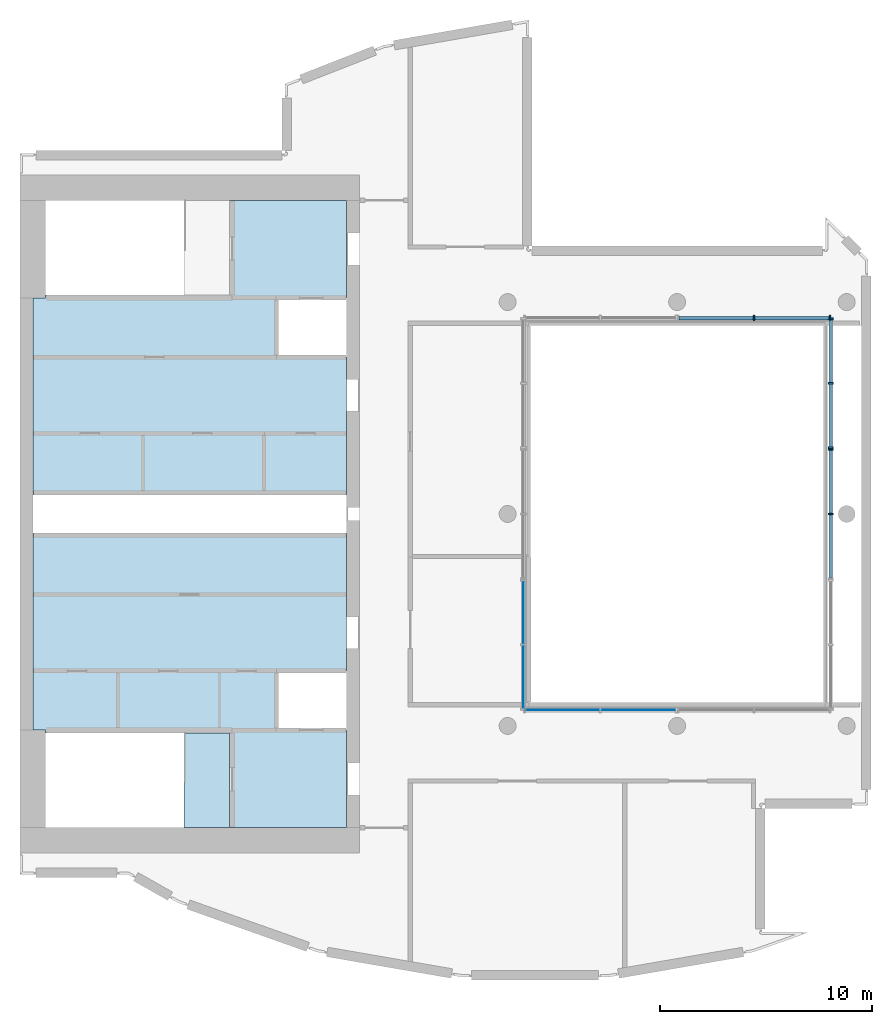
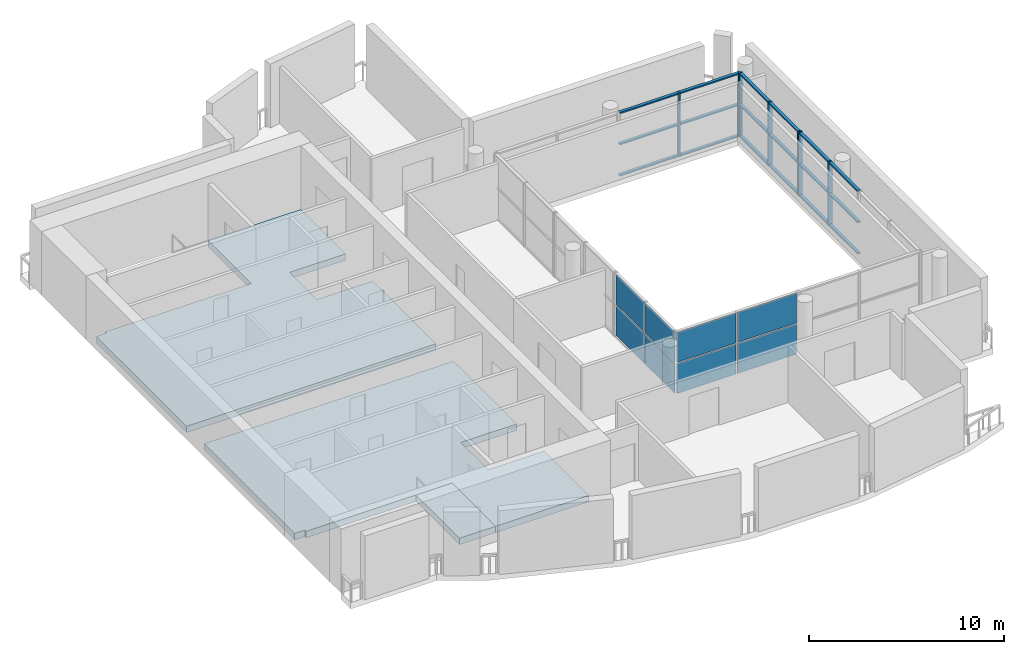
# One storey, part 2 of 6: 25 members, 8 plates, 3 slabs, 5 elements without a shape of their own.
"""IFC4 building model written with IfcOpenShell, lengths in metres."""

from ifc_helpers import new_model, si_unit, direction, frame, origin, origin_2d, place, context, subcontext, project, spatial, polyline, rectangle, outline, extrude, material, layer, layer_set, material_profile, profile_set, type_object, element, aggregate, save


model = new_model("IFC4")

# Units and contexts
model_context = context("Model", 3, precision=1e-05, world=origin(), true_north=direction((0.0, 1.0)))
body_context = subcontext(model_context, "Body", "Model", "MODEL_VIEW")
ifc_project = project(units=[si_unit("LENGTHUNIT", "METRE"), si_unit("AREAUNIT", "SQUARE_METRE"), si_unit("VOLUMEUNIT", "CUBIC_METRE"), si_unit("PLANEANGLEUNIT", "RADIAN"), si_unit("MASSUNIT", "GRAM", prefix="KILO")], contexts=[model_context])

# Site, building, storey
site_placement = place(None, origin())
site = spatial("IfcSite", under=ifc_project, at=site_placement, CompositionType="ELEMENT")
building_placement = place(site_placement, origin())
building = spatial("IfcBuilding", under=site, at=building_placement, Name="Cypress Arch Tower", CompositionType="ELEMENT")
storey_placement = place(building_placement, frame((0.0, 0.0, 355.0)))
storey = spatial("IfcBuildingStorey", under=building, at=storey_placement, Name="L81", CompositionType="ELEMENT", Elevation=355.0)

# Curtain wall, members
ifc_material_1 = material(Name="Anodised aluminium, bronze finish, clear laminated double glazing", Category="aluminium")
curtain_wall_type = type_object("IfcCurtainWallType", Name="Curtain wall CW4 atrium enclosure", PredefinedType="NOTDEFINED", material=ifc_material_1)
curtain_wall_1_placement = place(storey_placement, origin())
curtain_wall_1 = element("IfcCurtainWall", 1, at=curtain_wall_1_placement, inside=storey, type_object=curtain_wall_type, Name="Curtain wall L81 atrium 3.2", PredefinedType="NOTDEFINED")
ifc_material_2 = material(Name="Anodised aluminium, bronze finish", Category="aluminium")
ifc_material_profile_1 = material_profile(ifc_material_2, rectangle(XDim=0.239990234375, YDim=0.0849609375, at=origin_2d()), Name="Mullion 85x240")
ifc_profile_set_1 = profile_set([ifc_material_profile_1], Name="Anodised aluminium, bronze finish")
member_type_1 = type_object("IfcMemberType", Name="Mullion CW4 85x240", PredefinedType="MULLION", material=ifc_profile_set_1)
member_1_placement = place(storey_placement, frame((4.625, 9.25, 0.0), z_axis=(0.0, 0.0, 1.0), x_axis=(0.0, 1.0, 0.0)))
member_1 = element("IfcMember", 2, at=member_1_placement, type_object=member_type_1, Name="CW4 mullion 2", PredefinedType="MULLION", context=body_context, shape_type="SweptSolid", body=[
    extrude(rectangle(XDim=0.239990234375, YDim=0.0849609375, at=origin_2d()), origin(), (0.0, 0.0, 1.0), 4.0),
])
member_2_placement = place(storey_placement, frame((8.20751953125, 9.25, 0.0), z_axis=(0.0, 0.0, 1.0), x_axis=(0.0, 1.0, 0.0)))
member_2 = element("IfcMember", 3, at=member_2_placement, type_object=member_type_1, Name="CW4 mullion 3", PredefinedType="MULLION", context=body_context, shape_type="SweptSolid", body=[
    extrude(rectangle(XDim=0.239990234375, YDim=0.0849609375, at=origin_2d()), origin(), (0.0, 0.0, 1.0), 4.0),
])

curtain_wall_2_placement = place(storey_placement, origin())
curtain_wall_2 = element("IfcCurtainWall", 4, at=curtain_wall_2_placement, inside=storey, type_object=curtain_wall_type, Name="Curtain wall L81 atrium 4.1", PredefinedType="NOTDEFINED")
member_3_placement = place(storey_placement, frame((8.25, 9.20751953125, 0.0), z_axis=(0.0, 0.0, 1.0), x_axis=(1.0, 0.0, 0.0)))
member_3 = element("IfcMember", 5, at=member_3_placement, type_object=member_type_1, Name="CW4 mullion 1", PredefinedType="MULLION", context=body_context, shape_type="SweptSolid", body=[
    extrude(rectangle(XDim=0.239990234375, YDim=0.0849609375, at=origin_2d()), origin(), (0.0, 0.0, 1.0), 4.0),
])
member_4_placement = place(storey_placement, frame((8.25, 6.166748046875, 0.0), z_axis=(0.0, 0.0, 1.0), x_axis=(1.0, 0.0, 0.0)))
member_4 = element("IfcMember", 6, at=member_4_placement, type_object=member_type_1, Name="CW4 mullion 2", PredefinedType="MULLION", context=body_context, shape_type="SweptSolid", body=[
    extrude(rectangle(XDim=0.239990234375, YDim=0.0849609375, at=origin_2d()), origin(), (0.0, 0.0, 1.0), 4.0),
])
member_5_placement = place(storey_placement, frame((8.25, 3.125732421875, 0.0), z_axis=(0.0, 0.0, 1.0), x_axis=(1.0, 0.0, 0.0)))
member_5 = element("IfcMember", 7, at=member_5_placement, type_object=member_type_1, Name="CW4 mullion 3", PredefinedType="MULLION", context=body_context, shape_type="SweptSolid", body=[
    extrude(rectangle(XDim=0.239990234375, YDim=0.0849609375, at=origin_2d()), origin(), (0.0, 0.0, 1.0), 4.0),
])

curtain_wall_3_placement = place(storey_placement, origin())
curtain_wall_3 = element("IfcCurtainWall", 8, at=curtain_wall_3_placement, inside=storey, type_object=curtain_wall_type, Name="Curtain wall L81 atrium 4.2", PredefinedType="NOTDEFINED")
member_6_placement = place(storey_placement, frame((8.25, 3.040771484375, 0.0), z_axis=(0.0, 0.0, 1.0), x_axis=(1.0, 0.0, 0.0)))
member_6 = element("IfcMember", 9, at=member_6_placement, type_object=member_type_1, Name="CW4 mullion 1", PredefinedType="MULLION", context=body_context, shape_type="SweptSolid", body=[
    extrude(rectangle(XDim=0.239990234375, YDim=0.0849609375, at=origin_2d()), origin(), (0.0, 0.0, 1.0), 4.0),
])
member_7_placement = place(storey_placement, frame((8.25, 0.0, 0.0), z_axis=(0.0, 0.0, 1.0), x_axis=(1.0, 0.0, 0.0)))
member_7 = element("IfcMember", 10, at=member_7_placement, type_object=member_type_1, Name="CW4 mullion 2", PredefinedType="MULLION", context=body_context, shape_type="SweptSolid", body=[
    extrude(rectangle(XDim=0.239990234375, YDim=0.0849609375, at=origin_2d()), origin(), (0.0, 0.0, 1.0), 4.0),
])

# Member
ifc_material_3 = material(Name="Anodised aluminium, bronze finish", Category="aluminium")
ifc_material_profile_2 = material_profile(ifc_material_3, rectangle(XDim=0.179931640625, YDim=0.0849609375, at=origin_2d()), Name="Transom 85x180")
ifc_profile_set_2 = profile_set([ifc_material_profile_2], Name="Anodised aluminium, bronze finish")
member_type_2 = type_object("IfcMemberType", Name="Transom CW4 85x180", PredefinedType="USERDEFINED", material=ifc_profile_set_2)
member_8_placement = place(storey_placement, frame((1.0849609375, 9.25, 0.04248046875), z_axis=(1.0, 0.0, 0.0), x_axis=(0.0, 1.0, 0.0)))
member_8 = element("IfcMember", 11, at=member_8_placement, type_object=member_type_2, Name="CW4 transom 1.1", ObjectType="TRANSOM", PredefinedType="USERDEFINED", context=body_context, shape_type="SweptSolid", body=[
    extrude(rectangle(XDim=0.179931640625, YDim=0.0849609375, at=origin_2d()), origin(), (0.0, 0.0, 1.0), 3.49755859375),
])

member_9_placement = place(storey_placement, frame((1.0849609375, 9.25, 2.0), z_axis=(1.0, 0.0, 0.0), x_axis=(0.0, 1.0, 0.0)))
member_9 = element("IfcMember", 12, at=member_9_placement, type_object=member_type_2, Name="CW4 transom 1.2", ObjectType="TRANSOM", PredefinedType="USERDEFINED", context=body_context, shape_type="SweptSolid", body=[
    extrude(rectangle(XDim=0.179931640625, YDim=0.0849609375, at=origin_2d()), origin(), (0.0, 0.0, 1.0), 3.49755859375),
])

member_10_placement = place(storey_placement, frame((1.0849609375, 9.25, 3.95751953125), z_axis=(1.0, 0.0, 0.0), x_axis=(0.0, 1.0, 0.0)))
member_10 = element("IfcMember", 13, at=member_10_placement, type_object=member_type_2, Name="CW4 transom 1.3", ObjectType="TRANSOM", PredefinedType="USERDEFINED", context=body_context, shape_type="SweptSolid", body=[
    extrude(rectangle(XDim=0.179931640625, YDim=0.0849609375, at=origin_2d()), origin(), (0.0, 0.0, 1.0), 3.49755859375),
])

member_11_placement = place(storey_placement, frame((4.66748046875, 9.25, 0.04248046875), z_axis=(1.0, 0.0, 0.0), x_axis=(0.0, 1.0, 0.0)))
member_11 = element("IfcMember", 14, at=member_11_placement, type_object=member_type_2, Name="CW4 transom 2.1", ObjectType="TRANSOM", PredefinedType="USERDEFINED", context=body_context, shape_type="SweptSolid", body=[
    extrude(rectangle(XDim=0.179931640625, YDim=0.0849609375, at=origin_2d()), origin(), (0.0, 0.0, 1.0), 3.49755859375),
])

member_12_placement = place(storey_placement, frame((4.66748046875, 9.25, 2.0), z_axis=(1.0, 0.0, 0.0), x_axis=(0.0, 1.0, 0.0)))
member_12 = element("IfcMember", 15, at=member_12_placement, type_object=member_type_2, Name="CW4 transom 2.2", ObjectType="TRANSOM", PredefinedType="USERDEFINED", context=body_context, shape_type="SweptSolid", body=[
    extrude(rectangle(XDim=0.179931640625, YDim=0.0849609375, at=origin_2d()), origin(), (0.0, 0.0, 1.0), 3.49755859375),
])

member_13_placement = place(storey_placement, frame((4.66748046875, 9.25, 3.95751953125), z_axis=(1.0, 0.0, 0.0), x_axis=(0.0, 1.0, 0.0)))
member_13 = element("IfcMember", 16, at=member_13_placement, type_object=member_type_2, Name="CW4 transom 2.3", ObjectType="TRANSOM", PredefinedType="USERDEFINED", context=body_context, shape_type="SweptSolid", body=[
    extrude(rectangle(XDim=0.179931640625, YDim=0.0849609375, at=origin_2d()), origin(), (0.0, 0.0, 1.0), 3.49755859375),
])

aggregate(curtain_wall_1, [member_1, member_2, member_8, member_9, member_10, member_11, member_12, member_13])

member_14_placement = place(storey_placement, frame((8.25, 9.1650390625, 0.04248046875), z_axis=(0.0, -1.0, 0.0), x_axis=(1.0, 0.0, 0.0)))
member_14 = element("IfcMember", 17, at=member_14_placement, type_object=member_type_2, Name="CW4 transom 1.1", ObjectType="TRANSOM", PredefinedType="USERDEFINED", context=body_context, shape_type="SweptSolid", body=[
    extrude(rectangle(XDim=0.179931640625, YDim=0.0849609375, at=origin_2d()), origin(), (0.0, 0.0, 1.0), 2.955810546875),
])

member_15_placement = place(storey_placement, frame((8.25, 9.1650390625, 2.0), z_axis=(0.0, -1.0, 0.0), x_axis=(1.0, 0.0, 0.0)))
member_15 = element("IfcMember", 18, at=member_15_placement, type_object=member_type_2, Name="CW4 transom 1.2", ObjectType="TRANSOM", PredefinedType="USERDEFINED", context=body_context, shape_type="SweptSolid", body=[
    extrude(rectangle(XDim=0.179931640625, YDim=0.0849609375, at=origin_2d()), origin(), (0.0, 0.0, 1.0), 2.955810546875),
])

member_16_placement = place(storey_placement, frame((8.25, 9.1650390625, 3.95751953125), z_axis=(0.0, -1.0, 0.0), x_axis=(1.0, 0.0, 0.0)))
member_16 = element("IfcMember", 19, at=member_16_placement, type_object=member_type_2, Name="CW4 transom 1.3", ObjectType="TRANSOM", PredefinedType="USERDEFINED", context=body_context, shape_type="SweptSolid", body=[
    extrude(rectangle(XDim=0.179931640625, YDim=0.0849609375, at=origin_2d()), origin(), (0.0, 0.0, 1.0), 2.955810546875),
])

member_17_placement = place(storey_placement, frame((8.25, 6.124267578125, 0.04248046875), z_axis=(0.0, -1.0, 0.0), x_axis=(1.0, 0.0, 0.0)))
member_17 = element("IfcMember", 20, at=member_17_placement, type_object=member_type_2, Name="CW4 transom 2.1", ObjectType="TRANSOM", PredefinedType="USERDEFINED", context=body_context, shape_type="SweptSolid", body=[
    extrude(rectangle(XDim=0.179931640625, YDim=0.0849609375, at=origin_2d()), origin(), (0.0, 0.0, 1.0), 2.9560546875),
])

member_18_placement = place(storey_placement, frame((8.25, 6.124267578125, 2.0), z_axis=(0.0, -1.0, 0.0), x_axis=(1.0, 0.0, 0.0)))
member_18 = element("IfcMember", 21, at=member_18_placement, type_object=member_type_2, Name="CW4 transom 2.2", ObjectType="TRANSOM", PredefinedType="USERDEFINED", context=body_context, shape_type="SweptSolid", body=[
    extrude(rectangle(XDim=0.179931640625, YDim=0.0849609375, at=origin_2d()), origin(), (0.0, 0.0, 1.0), 2.9560546875),
])

member_19_placement = place(storey_placement, frame((8.25, 6.124267578125, 3.95751953125), z_axis=(0.0, -1.0, 0.0), x_axis=(1.0, 0.0, 0.0)))
member_19 = element("IfcMember", 22, at=member_19_placement, type_object=member_type_2, Name="CW4 transom 2.3", ObjectType="TRANSOM", PredefinedType="USERDEFINED", context=body_context, shape_type="SweptSolid", body=[
    extrude(rectangle(XDim=0.179931640625, YDim=0.0849609375, at=origin_2d()), origin(), (0.0, 0.0, 1.0), 2.9560546875),
])

aggregate(curtain_wall_2, [member_3, member_4, member_5, member_14, member_15, member_16, member_17, member_18, member_19])

member_20_placement = place(storey_placement, frame((8.25, 2.998291015625, 0.04248046875), z_axis=(0.0, -1.0, 0.0), x_axis=(1.0, 0.0, 0.0)))
member_20 = element("IfcMember", 23, at=member_20_placement, type_object=member_type_2, Name="CW4 transom 1.1", ObjectType="TRANSOM", PredefinedType="USERDEFINED", context=body_context, shape_type="SweptSolid", body=[
    extrude(rectangle(XDim=0.179931640625, YDim=0.0849609375, at=origin_2d()), origin(), (0.0, 0.0, 1.0), 2.955810546875),
])

member_21_placement = place(storey_placement, frame((8.25, 2.998291015625, 2.0), z_axis=(0.0, -1.0, 0.0), x_axis=(1.0, 0.0, 0.0)))
member_21 = element("IfcMember", 24, at=member_21_placement, type_object=member_type_2, Name="CW4 transom 1.2", ObjectType="TRANSOM", PredefinedType="USERDEFINED", context=body_context, shape_type="SweptSolid", body=[
    extrude(rectangle(XDim=0.179931640625, YDim=0.0849609375, at=origin_2d()), origin(), (0.0, 0.0, 1.0), 2.955810546875),
])

member_22_placement = place(storey_placement, frame((8.25, 2.998291015625, 3.95751953125), z_axis=(0.0, -1.0, 0.0), x_axis=(1.0, 0.0, 0.0)))
member_22 = element("IfcMember", 25, at=member_22_placement, type_object=member_type_2, Name="CW4 transom 1.3", ObjectType="TRANSOM", PredefinedType="USERDEFINED", context=body_context, shape_type="SweptSolid", body=[
    extrude(rectangle(XDim=0.179931640625, YDim=0.0849609375, at=origin_2d()), origin(), (0.0, 0.0, 1.0), 2.955810546875),
])

member_23_placement = place(storey_placement, frame((8.25, -0.04248046875, 0.04248046875), z_axis=(0.0, -1.0, 0.0), x_axis=(1.0, 0.0, 0.0)))
member_23 = element("IfcMember", 26, at=member_23_placement, type_object=member_type_2, Name="CW4 transom 2.1", ObjectType="TRANSOM", PredefinedType="USERDEFINED", context=body_context, shape_type="SweptSolid", body=[
    extrude(rectangle(XDim=0.179931640625, YDim=0.0849609375, at=origin_2d()), origin(), (0.0, 0.0, 1.0), 2.955810546875),
])

member_24_placement = place(storey_placement, frame((8.25, -0.04248046875, 2.0), z_axis=(0.0, -1.0, 0.0), x_axis=(1.0, 0.0, 0.0)))
member_24 = element("IfcMember", 27, at=member_24_placement, type_object=member_type_2, Name="CW4 transom 2.2", ObjectType="TRANSOM", PredefinedType="USERDEFINED", context=body_context, shape_type="SweptSolid", body=[
    extrude(rectangle(XDim=0.179931640625, YDim=0.0849609375, at=origin_2d()), origin(), (0.0, 0.0, 1.0), 2.955810546875),
])

member_25_placement = place(storey_placement, frame((8.25, -0.04248046875, 3.95751953125), z_axis=(0.0, -1.0, 0.0), x_axis=(1.0, 0.0, 0.0)))
member_25 = element("IfcMember", 28, at=member_25_placement, type_object=member_type_2, Name="CW4 transom 2.3", ObjectType="TRANSOM", PredefinedType="USERDEFINED", context=body_context, shape_type="SweptSolid", body=[
    extrude(rectangle(XDim=0.179931640625, YDim=0.0849609375, at=origin_2d()), origin(), (0.0, 0.0, 1.0), 2.955810546875),
])

aggregate(curtain_wall_3, [member_6, member_7, member_20, member_21, member_22, member_23, member_24, member_25])

# Slabs
ifc_material_4 = material(Name="Concrete C40/50", Category="concrete")
ifc_layer_1 = layer(ifc_material_4, 0.402099609375)
ifc_layer_set_1 = layer_set([ifc_layer_1], Name="Core floor CF402")
slab_type = type_object("IfcSlabType", Name="Core floor CF402", PredefinedType="FLOOR", material=ifc_layer_set_1)
slab_1_placement = place(storey_placement, frame((0.0, 0.0, -0.402099609375)))
element("IfcSlab", 29, at=slab_1_placement, inside=storey, type_object=slab_type, Name="Core floor", PredefinedType="FLOOR", context=body_context, shape_type="SweptSolid", body=[
    extrude(outline(polyline([(-28.800048828125, -10.199951171875), (-29.0, -10.199951171875), (-29.39990234375, -10.199951171875), (-29.39990234375, -0.89990234375), (-29.0, -0.89990234375), (-15.0, -0.89990234375), (-14.60009765625, -0.89990234375), (-14.60009765625, -7.39990234375), (-15.0, -7.39990234375), (-17.919921875, -7.39990234375), (-17.919921875, -10.199951171875), (-15.0, -10.199951171875), (-14.60009765625, -10.199951171875), (-14.60009765625, -14.800048828125), (-15.0, -14.800048828125), (-20.125, -14.800048828125), (-20.125, -10.324951171875), (-22.27490234375, -10.324951171875), (-28.800048828125, -10.324951171875), (-28.800048828125, -10.199951171875)])), origin(), (0.0, 0.0, 1.0), 0.402099609375),
])
slab_2_placement = place(storey_placement, frame((0.0, 0.0, -0.402099609375)))
element("IfcSlab", 30, at=slab_2_placement, inside=storey, type_object=slab_type, Name="Core floor", PredefinedType="FLOOR", context=body_context, shape_type="SweptSolid", body=[
    extrude(outline(polyline([(-22.27490234375, -10.324951171875), (-22.27490234375, -14.800048828125), (-20.125, -14.800048828125), (-20.125, -10.324951171875), (-22.27490234375, -10.324951171875)])), origin(), (0.0, 0.0, 1.0), 0.402099609375),
])
slab_3_placement = place(storey_placement, frame((0.0, 0.0, -0.402099609375)))
element("IfcSlab", 31, at=slab_3_placement, inside=storey, type_object=slab_type, Name="Core floor", PredefinedType="FLOOR", context=body_context, shape_type="SweptSolid", body=[
    extrude(outline(polyline([(-22.27490234375, 10.324951171875), (-20.125, 10.324951171875), (-20.125, 14.800048828125), (-15.0, 14.800048828125), (-14.60009765625, 14.800048828125), (-14.60009765625, 10.199951171875), (-15.0, 10.199951171875), (-17.919921875, 10.199951171875), (-17.919921875, 7.39990234375), (-15.0, 7.39990234375), (-14.60009765625, 7.39990234375), (-14.60009765625, 1.5), (-14.60009765625, 0.89990234375), (-15.0, 0.89990234375), (-29.0, 0.89990234375), (-29.39990234375, 0.89990234375), (-29.39990234375, 1.5), (-29.39990234375, 10.199951171875), (-29.0, 10.199951171875), (-28.800048828125, 10.199951171875), (-28.800048828125, 10.324951171875), (-22.27490234375, 10.324951171875)])), origin(), (0.0, 0.0, 1.0), 0.402099609375),
])

# Curtain wall, plates
curtain_wall_4_placement = place(storey_placement, origin())
curtain_wall_4 = element("IfcCurtainWall", 32, at=curtain_wall_4_placement, inside=storey, type_object=curtain_wall_type, Name="Curtain wall L81 atrium 1.2", PredefinedType="NOTDEFINED")
ifc_material_5 = material(Name="Clear laminated double glazing", Category="glass")
ifc_layer_2 = layer(ifc_material_5, 0.0439453125)
ifc_layer_set_2 = layer_set([ifc_layer_2], Name="Glass panel CW4 44")
plate_type = type_object("IfcPlateType", Name="Glass panel CW4 44", PredefinedType="CURTAIN_PANEL", material=ifc_layer_set_2)
plate_1_placement = place(storey_placement, frame((-0.833740234375, -9.25, 0.0849609375), z_axis=(0.0, 0.0, 1.0), x_axis=(-1.0, 0.0, 0.0)))
plate_1 = element("IfcPlate", 33, at=plate_1_placement, type_object=plate_type, Name="CW4 panel 1.1", PredefinedType="CURTAIN_PANEL", context=body_context, shape_type="SweptSolid", body=[
    extrude(rectangle(XDim=3.49755859375, YDim=0.0439453125, at=origin_2d()), origin(), (0.0, 0.0, 1.0), 1.87255859375),
])
plate_2_placement = place(storey_placement, frame((-0.833740234375, -9.25, 2.04248046875), z_axis=(0.0, 0.0, 1.0), x_axis=(-1.0, 0.0, 0.0)))
plate_2 = element("IfcPlate", 34, at=plate_2_placement, type_object=plate_type, Name="CW4 panel 1.2", PredefinedType="CURTAIN_PANEL", context=body_context, shape_type="SweptSolid", body=[
    extrude(rectangle(XDim=3.49755859375, YDim=0.0439453125, at=origin_2d()), origin(), (0.0, 0.0, 1.0), 1.87255859375),
])
plate_3_placement = place(storey_placement, frame((-4.416259765625, -9.25, 0.0849609375), z_axis=(0.0, 0.0, 1.0), x_axis=(-1.0, 0.0, 0.0)))
plate_3 = element("IfcPlate", 35, at=plate_3_placement, type_object=plate_type, Name="CW4 panel 2.1", PredefinedType="CURTAIN_PANEL", context=body_context, shape_type="SweptSolid", body=[
    extrude(rectangle(XDim=3.49755859375, YDim=0.0439453125, at=origin_2d()), origin(), (0.0, 0.0, 1.0), 1.87255859375),
])
plate_4_placement = place(storey_placement, frame((-4.416259765625, -9.25, 2.04248046875), z_axis=(0.0, 0.0, 1.0), x_axis=(-1.0, 0.0, 0.0)))
plate_4 = element("IfcPlate", 36, at=plate_4_placement, type_object=plate_type, Name="CW4 panel 2.2", PredefinedType="CURTAIN_PANEL", context=body_context, shape_type="SweptSolid", body=[
    extrude(rectangle(XDim=3.49755859375, YDim=0.0439453125, at=origin_2d()), origin(), (0.0, 0.0, 1.0), 1.87255859375),
])
aggregate(curtain_wall_4, [plate_1, plate_2, plate_3, plate_4])

curtain_wall_5_placement = place(storey_placement, origin())
curtain_wall_5 = element("IfcCurtainWall", 37, at=curtain_wall_5_placement, inside=storey, type_object=curtain_wall_type, Name="Curtain wall L81 atrium 2.1", PredefinedType="NOTDEFINED")
plate_5_placement = place(storey_placement, frame((-6.25, -7.68701171875, 0.0849609375), z_axis=(0.0, 0.0, 1.0), x_axis=(0.0, 1.0, 0.0)))
plate_5 = element("IfcPlate", 38, at=plate_5_placement, type_object=plate_type, Name="CW4 panel 1.1", PredefinedType="CURTAIN_PANEL", context=body_context, shape_type="SweptSolid", body=[
    extrude(rectangle(XDim=2.955810546875, YDim=0.0439453125, at=origin_2d()), origin(), (0.0, 0.0, 1.0), 1.87255859375),
])
plate_6_placement = place(storey_placement, frame((-6.25, -7.68701171875, 2.04248046875), z_axis=(0.0, 0.0, 1.0), x_axis=(0.0, 1.0, 0.0)))
plate_6 = element("IfcPlate", 39, at=plate_6_placement, type_object=plate_type, Name="CW4 panel 1.2", PredefinedType="CURTAIN_PANEL", context=body_context, shape_type="SweptSolid", body=[
    extrude(rectangle(XDim=2.955810546875, YDim=0.0439453125, at=origin_2d()), origin(), (0.0, 0.0, 1.0), 1.87255859375),
])
plate_7_placement = place(storey_placement, frame((-6.25, -4.646240234375, 0.0849609375), z_axis=(0.0, 0.0, 1.0), x_axis=(0.0, 1.0, 0.0)))
plate_7 = element("IfcPlate", 40, at=plate_7_placement, type_object=plate_type, Name="CW4 panel 2.1", PredefinedType="CURTAIN_PANEL", context=body_context, shape_type="SweptSolid", body=[
    extrude(rectangle(XDim=2.955810546875, YDim=0.0439453125, at=origin_2d()), origin(), (0.0, 0.0, 1.0), 1.87255859375),
])
plate_8_placement = place(storey_placement, frame((-6.25, -4.646240234375, 2.04248046875), z_axis=(0.0, 0.0, 1.0), x_axis=(0.0, 1.0, 0.0)))
plate_8 = element("IfcPlate", 41, at=plate_8_placement, type_object=plate_type, Name="CW4 panel 2.2", PredefinedType="CURTAIN_PANEL", context=body_context, shape_type="SweptSolid", body=[
    extrude(rectangle(XDim=2.955810546875, YDim=0.0439453125, at=origin_2d()), origin(), (0.0, 0.0, 1.0), 1.87255859375),
])
aggregate(curtain_wall_5, [plate_5, plate_6, plate_7, plate_8])

save(model, "model.ifc")
